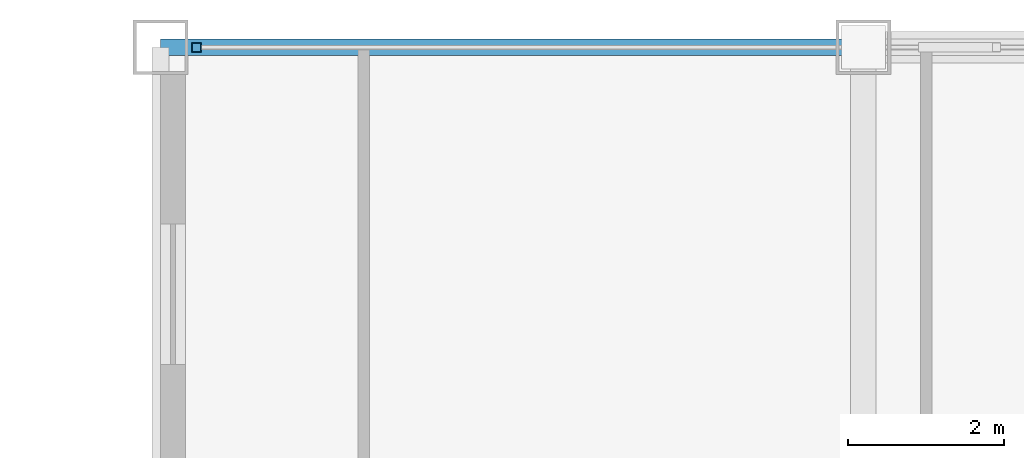
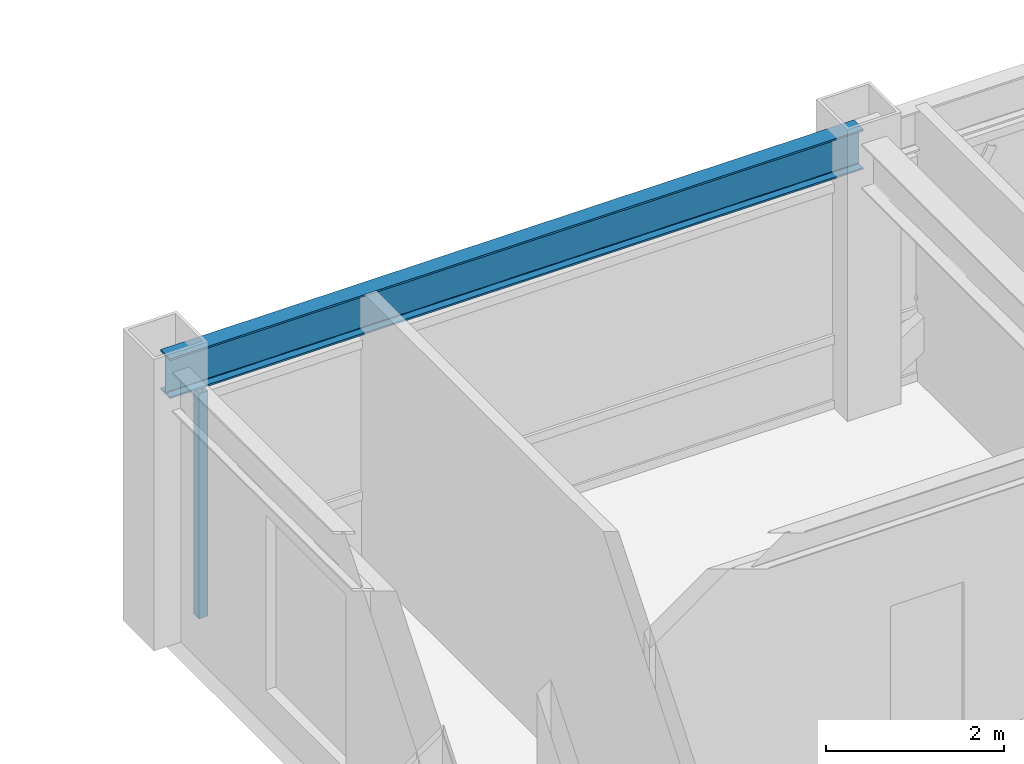
# One storey, part 16 of 29: 1 beam, 1 member, 1 element without a shape of its own.
"""IFC4 building model written with IfcOpenShell, lengths in metres."""

import ifcopenshell
import ifcopenshell.guid

model = None  # the IFC model being written
_history = None  # IfcOwnerHistory: only IFC2X3 demands one
_inside = {}  # id of a spatial element -> (the spatial element, [elements in it])
_under = {}  # id of a project, library or spatial element -> (it, [spatial elements below it])
_declared = {}  # id of a project -> (the project, [libraries it declares])
_typed = {}  # id of a type object -> (the type object, [elements of that type])
_made_of = {}  # id of a material, layer set ... -> (it, [elements and type objects made of it])


def new_model(schema):
    """Start an empty IFC model of exactly this schema.

    Asked for "IFC4X3", IfcOpenShell would pick the latest addendum, in which some entities
    have other attributes; the version numbers below select the first issue.
    IFC2X3 requires an IfcOwnerHistory on every rooted entity: one is made here for all.
    """
    global model, _history
    if schema == "IFC4X3":
        model = ifcopenshell.file(schema_version=(4, 3, 0, 0))
    else:
        model = ifcopenshell.file(schema=schema)
    _inside.clear()
    _under.clear()
    _declared.clear()
    _typed.clear()
    _made_of.clear()
    _history = None
    if model.schema == "IFC2X3":
        org = make("IfcOrganization", Name="unknown")
        user = make(
            "IfcPersonAndOrganization",
            ThePerson=make("IfcPerson", FamilyName="unknown"),
            TheOrganization=org,
        )
        app = make(
            "IfcApplication",
            ApplicationDeveloper=org,
            Version="unknown",
            ApplicationFullName="unknown",
            ApplicationIdentifier="unknown",
        )
        _history = make(
            "IfcOwnerHistory",
            OwningUser=user,
            OwningApplication=app,
            ChangeAction="ADDED",
            CreationDate=0,
        )
    return model


def make(cls, **values):
    """One entity of the class cls with the attributes given. An attribute that is None is left unset."""
    return model.create_entity(
        cls, **{name: value for name, value in values.items() if value is not None}
    )


def rooted(cls, **values):
    """An entity with a GlobalId (a new one), such as an element, a storey or a relation."""
    return make(cls, GlobalId=ifcopenshell.guid.new(), OwnerHistory=_history, **values)


def si_unit(unit_type, name, prefix=None):
    """IfcSIUnit, for example si_unit("LENGTHUNIT", "METRE", prefix="MILLI")."""
    return make("IfcSIUnit", UnitType=unit_type, Prefix=prefix, Name=name)


def assignment(units):
    """IfcUnitAssignment: the units of a project."""
    return None if units is None else make("IfcUnitAssignment", Units=units)


def point(xyz):
    """IfcCartesianPoint."""
    return None if xyz is None else make("IfcCartesianPoint", Coordinates=xyz)


def direction(xyz):
    """IfcDirection."""
    return None if xyz is None else make("IfcDirection", DirectionRatios=xyz)


def frame(location, z_axis=None, x_axis=None):
    """IfcAxis2Placement3D, a coordinate frame: its origin and axes. An axis left out is left unset."""
    return make(
        "IfcAxis2Placement3D",
        Location=point(location),
        Axis=direction(z_axis),
        RefDirection=direction(x_axis),
    )


def frame_2d(location, x_axis=None):
    """IfcAxis2Placement2D, a coordinate frame in the plane: its origin and x axis."""
    return make(
        "IfcAxis2Placement2D", Location=point(location), RefDirection=direction(x_axis)
    )


def origin():
    """The frame at (0, 0, 0) with its axes left unset."""
    return frame((0.0, 0.0, 0.0))


def origin_2d():
    """The frame at (0, 0) in the plane with its x axis left unset."""
    return frame_2d((0.0, 0.0))


def place(relative_to, where):
    """IfcLocalPlacement: puts the frame where relative to a parent placement (None: the world)."""
    return make(
        "IfcLocalPlacement", PlacementRelTo=relative_to, RelativePlacement=where
    )


def context(
    kind, dimensions, precision=None, world=None, true_north=None, identifier=None
):
    """IfcGeometricRepresentationContext, for example the 3D "Model" context."""
    return make(
        "IfcGeometricRepresentationContext",
        ContextIdentifier=identifier,
        ContextType=kind,
        CoordinateSpaceDimension=dimensions,
        Precision=precision,
        WorldCoordinateSystem=world,
        TrueNorth=true_north,
    )


def subcontext(parent, identifier, kind, view, scale=None):
    """IfcGeometricRepresentationSubContext, for example "Body" below "Model"."""
    return make(
        "IfcGeometricRepresentationSubContext",
        ContextIdentifier=identifier,
        ContextType=kind,
        ParentContext=parent,
        TargetScale=scale,
        TargetView=view,
    )


def project(units=None, contexts=None):
    """IfcProject with its units and contexts."""
    return rooted(
        "IfcProject",
        Name="project",
        RepresentationContexts=contexts,
        UnitsInContext=assignment(units),
    )


def spatial(cls, under=None, at=None, **own):
    """A site, building, storey or space (cls), placed at a placement, below another one or the project."""
    s = rooted(cls, ObjectPlacement=at, **own)
    if under is not None:
        _under.setdefault(under.id(), (under, []))[1].append(s)
    return s


def profile(cls, at=None, kind="AREA", **sizes):
    """A parametric profile (cls). Its sizes go by their IFC names, for example OverallWidth=200.0."""
    return make(cls, ProfileType=kind, Position=at, **sizes)


def hollow_rectangle(**sizes):
    """IfcRectangleHollowProfileDef."""
    return profile("IfcRectangleHollowProfileDef", **sizes)


def i_section(**sizes):
    """IfcIShapeProfileDef."""
    return profile("IfcIShapeProfileDef", **sizes)


def extrude(swept, where, along, depth):
    """IfcExtrudedAreaSolid: the profile swept, set in the frame where, extruded along a direction by depth."""
    return make(
        "IfcExtrudedAreaSolid",
        SweptArea=swept,
        Position=where,
        ExtrudedDirection=direction(along),
        Depth=depth,
    )


def shape(context_of_items, identifier, shape_type, items):
    """IfcShapeRepresentation: the items that make up one representation, for example the "Body"."""
    return make(
        "IfcShapeRepresentation",
        ContextOfItems=context_of_items,
        RepresentationIdentifier=identifier,
        RepresentationType=shape_type,
        Items=items,
    )


def source(mapping_origin, context_of_items, identifier, shape_type, items):
    """IfcRepresentationMap: a shape defined once, which mapped items show again and again."""
    return make(
        "IfcRepresentationMap",
        MappingOrigin=mapping_origin,
        MappedRepresentation=shape(context_of_items, identifier, shape_type, items),
    )


def transform(
    local_origin,
    x_axis=None,
    y_axis=None,
    z_axis=None,
    scale=None,
    scale2=None,
    scale3=None,
    uniform=True,
):
    """IfcCartesianTransformationOperator3D, or its non-uniform kind. x_axis, y_axis, z_axis: its Axis1, 2, 3."""
    if uniform:
        return make(
            "IfcCartesianTransformationOperator3D",
            Axis1=direction(x_axis),
            Axis2=direction(y_axis),
            LocalOrigin=point(local_origin),
            Scale=scale,
            Axis3=direction(z_axis),
        )
    return make(
        "IfcCartesianTransformationOperator3DnonUniform",
        Axis1=direction(x_axis),
        Axis2=direction(y_axis),
        LocalOrigin=point(local_origin),
        Scale=scale,
        Axis3=direction(z_axis),
        Scale2=scale2,
        Scale3=scale3,
    )


def mapped(mapping_source, mapping_target):
    """IfcMappedItem: shows the shape of a source again, moved by a transform."""
    return make(
        "IfcMappedItem", MappingSource=mapping_source, MappingTarget=mapping_target
    )


def material(Name=None, Category=None):
    """IfcMaterial."""
    return make("IfcMaterial", Name=Name, Category=Category)


def material_profile(
    of_material, cross_section, Name=None, Category=None, Priority=None
):
    """IfcMaterialProfile: a cross section and its material."""
    return make(
        "IfcMaterialProfile",
        Name=Name,
        Material=of_material,
        Profile=cross_section,
        Priority=Priority,
        Category=Category,
    )


def profile_set(profiles, Name=None, composite=None):
    """IfcMaterialProfileSet."""
    return make(
        "IfcMaterialProfileSet",
        Name=Name,
        MaterialProfiles=profiles,
        CompositeProfile=composite,
    )


def made_of(thing, what):
    """Note that an element or type object is made of a material, layer set ...; save() writes the relation."""
    if what is not None:
        _made_of.setdefault(what.id(), (what, []))[1].append(thing)
    return thing


def type_object(cls, material=None, **own):
    """A type object (cls), such as IfcWallType, which elements share."""
    return made_of(rooted(cls, **own), material)


def element(
    cls,
    number,
    at=None,
    inside=None,
    cuts=None,
    type_object=None,
    material=None,
    context=None,
    identifier="Body",
    shape_type=None,
    held_by="IfcProductDefinitionShape",
    body=None,
    shapes=None,
    **own,
):
    """One element of the class cls, such as IfcWall. Its Tag is "e" and its number.

    at: its placement. inside: the storey or other place that contains it. cuts: it is an
    opening in that element (IfcRelVoidsElement). A single representation is given by context,
    identifier, shape_type and body (its items); several are given by shapes. held_by: the class
    of the entity that holds the representations. save() writes the other relations.
    """
    e = rooted(cls, Tag="e%d" % number, ObjectPlacement=at, **own)
    if body is not None:
        shapes = [shape(context, identifier, shape_type, body)]
    if shapes is not None:
        e.Representation = make(held_by, Representations=shapes)
    if inside is not None:
        _inside.setdefault(inside.id(), (inside, []))[1].append(e)
    if cuts is not None:
        rooted(
            "IfcRelVoidsElement", RelatingBuildingElement=cuts, RelatedOpeningElement=e
        )
    if type_object is not None:
        _typed.setdefault(type_object.id(), (type_object, []))[1].append(e)
    return made_of(e, material)


def aggregate(whole, parts):
    """IfcRelAggregates: a whole, such as a stair, and the parts it consists of."""
    return rooted("IfcRelAggregates", RelatingObject=whole, RelatedObjects=parts)


def save(model, path):
    """Write the relations noted so far, then the file.

    IfcRelAggregates (storeys below a building ...), IfcRelContainedInSpatialStructure (elements
    in a storey), IfcRelDefinesByType, IfcRelAssociatesMaterial and IfcRelDeclares: one each for
    every whole, place, type object, material and project.
    """
    for whole, parts in _under.values():
        aggregate(whole, parts)
    for where, things in _inside.values():
        rooted(
            "IfcRelContainedInSpatialStructure",
            RelatedElements=things,
            RelatingStructure=where,
        )
    for kind, things in _typed.values():
        rooted("IfcRelDefinesByType", RelatedObjects=things, RelatingType=kind)
    for what, things in _made_of.values():
        rooted("IfcRelAssociatesMaterial", RelatedObjects=things, RelatingMaterial=what)
    for by, libraries in _declared.values():
        rooted("IfcRelDeclares", RelatingContext=by, RelatedDefinitions=libraries)
    model.write(path)


model = new_model("IFC4")

# Units and contexts
model_context = context("Model", 3, precision=1e-05, world=origin(), true_north=direction((0.0, 1.0)))
body_context = subcontext(model_context, "Body", "Model", "MODEL_VIEW")
ifc_project = project(units=[si_unit("LENGTHUNIT", "METRE"), si_unit("AREAUNIT", "SQUARE_METRE"), si_unit("VOLUMEUNIT", "CUBIC_METRE"), si_unit("PLANEANGLEUNIT", "RADIAN"), si_unit("MASSUNIT", "GRAM", prefix="KILO")], contexts=[model_context])

# Site, building, storey
site_placement = place(None, origin())
site = spatial("IfcSite", under=ifc_project, at=site_placement, CompositionType="ELEMENT")
building_placement = place(site_placement, origin())
building = spatial("IfcBuilding", under=site, at=building_placement, Name="Khorayat Bourse Tower", CompositionType="ELEMENT")
storey_placement = place(building_placement, frame((0.0, 0.0, 362.300048828125)))
storey = spatial("IfcBuildingStorey", under=building, at=storey_placement, Name="L86", CompositionType="ELEMENT", Elevation=362.300048828125)

# Beam
ifc_material_1 = material(Name="Steel ASTM A992 Grade 50", Category="steel")
ifc_material_profile_1 = material_profile(ifc_material_1, i_section(OverallWidth=0.214111328125, OverallDepth=0.549072265625, WebThickness=0.0146484375, FlangeThickness=0.023681640625, FilletRadius=0.013916015625, at=origin_2d()), Name="W530X138")
ifc_profile_set_1 = profile_set([ifc_material_profile_1], Name="Steel ASTM A992 Grade 50")
beam_type = type_object("IfcBeamType", Name="BM-SPAN-530", PredefinedType="SPANDREL", material=ifc_profile_set_1)
shared_shape_1 = source(origin(), body_context, "Body", "SweptSolid", [
    extrude(i_section(OverallWidth=0.214111328125, OverallDepth=0.549072265625, WebThickness=0.0146484375, FlangeThickness=0.023681640625, FilletRadius=0.013916015625, at=origin_2d()), origin(), (0.0, 0.0, 1.0), 9.0),
])
beam_placement = place(storey_placement, frame((-20.0, 26.0, 3.46533203125), z_axis=(1.0, 0.0, 0.0), x_axis=(0.0, 1.0, 0.0)))
element("IfcBeam", 1, at=beam_placement, inside=storey, type_object=beam_type, Name="L86 BM-SPAN-530 BM-L86-SPN-045", PredefinedType="SPANDREL", context=body_context, shape_type="MappedRepresentation", body=[
    mapped(shared_shape_1, transform((0.0, 0.0, 0.0), scale=1.0)),
])

# Curtain wall, member
ifc_material_2 = material(Name="Aluminium EN AW-6063 T6", Category="aluminium")
curtain_wall_type = type_object("IfcCurtainWallType", Name="CW-SYS-04", PredefinedType="NOTDEFINED", material=ifc_material_2)
curtain_wall_placement = place(storey_placement, origin())
curtain_wall = element("IfcCurtainWall", 2, at=curtain_wall_placement, inside=storey, type_object=curtain_wall_type, Name="L86 Curtain Wall CW-L86-N1", PredefinedType="NOTDEFINED")
ifc_material_profile_2 = material_profile(ifc_material_2, hollow_rectangle(XDim=0.1201171875, YDim=0.1201171875, WallThickness=0.0048828125, at=origin_2d()), Name="ALU 120x120x5")
ifc_profile_set_2 = profile_set([ifc_material_profile_2], Name="Aluminium EN AW-6063 T6")
member_type = type_object("IfcMemberType", Name="CWM-VERT-120", PredefinedType="MULLION", material=ifc_profile_set_2)
shared_shape_2 = source(origin(), body_context, "Body", "SweptSolid", [
    extrude(hollow_rectangle(XDim=0.1201171875, YDim=0.1201171875, WallThickness=0.0048828125, at=origin_2d()), origin(), (0.0, 0.0, 1.0), 3.08984375),
])
member_placement = place(storey_placement, frame((-19.5400390625, 26.0, 0.0), z_axis=(0.0, 0.0, 1.0), x_axis=(0.0, 1.0, 0.0)))
member = element("IfcMember", 3, at=member_placement, type_object=member_type, Name="CW-L86-N1 Vertical Mullion 1", PredefinedType="MULLION", context=body_context, shape_type="MappedRepresentation", body=[
    mapped(shared_shape_2, transform((0.0, 0.0, 0.0), scale=1.0)),
])
aggregate(curtain_wall, [member])

save(model, "model.ifc")
